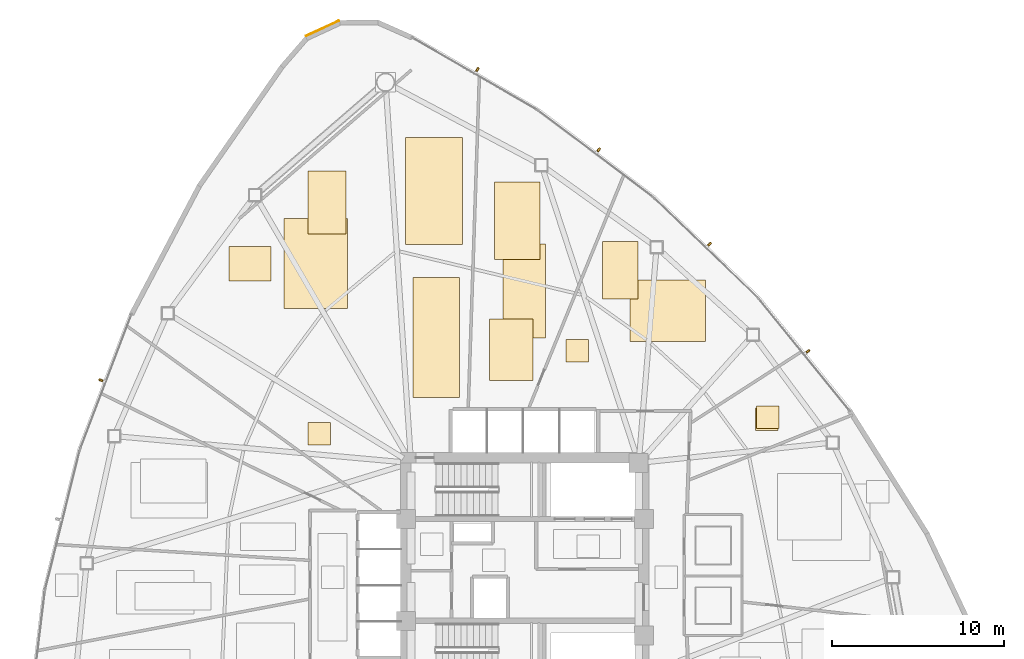
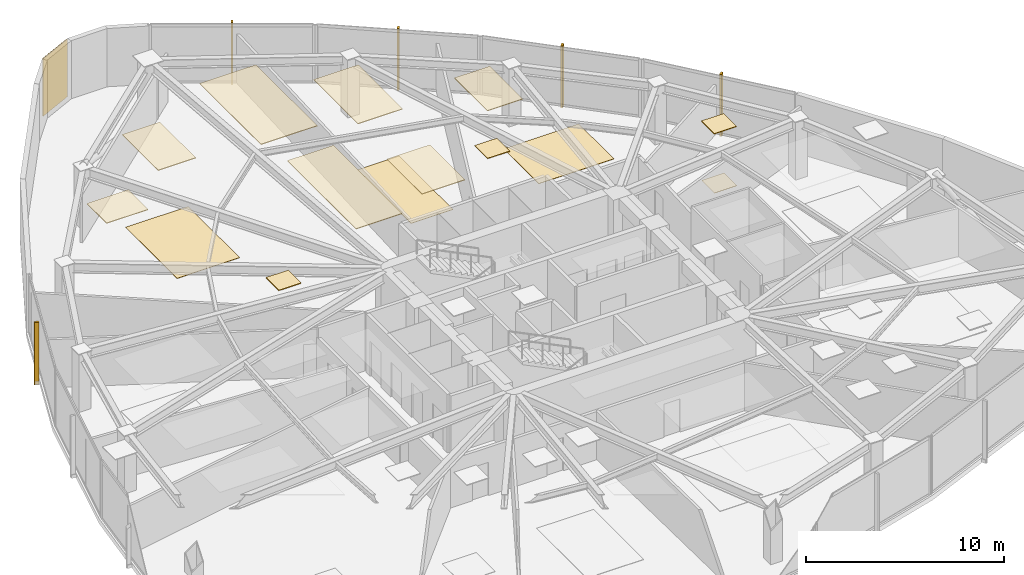
# One storey, part 17 of 17: 15 coverings, 5 shading devices.
"""IFC4 building model written with IfcOpenShell, lengths in metres."""

from ifc_helpers import new_model, si_unit, direction, frame, origin, origin_2d, place, context, subcontext, project, spatial, polyline, rectangle, outline, extrude, source, transform, mapped, material, layer, layer_set, type_object, type_shapes, element, save


model = new_model("IFC4")

# Units and contexts
model_context = context("Model", 3, precision=1e-05, world=origin(), true_north=direction((0.0, 1.0)))
body_context = subcontext(model_context, "Body", "Model", "MODEL_VIEW")
ifc_project = project(units=[si_unit("LENGTHUNIT", "METRE"), si_unit("AREAUNIT", "SQUARE_METRE"), si_unit("VOLUMEUNIT", "CUBIC_METRE"), si_unit("PLANEANGLEUNIT", "RADIAN"), si_unit("MASSUNIT", "GRAM", prefix="KILO")], contexts=[model_context])

# Site, building, storey
site_placement = place(None, origin())
site = spatial("IfcSite", under=ifc_project, at=site_placement, CompositionType="ELEMENT")
building_placement = place(site_placement, origin())
building = spatial("IfcBuilding", under=site, at=building_placement, Name="Tavelor Broadcast Tower", CompositionType="ELEMENT")
storey_placement = place(building_placement, frame((0.0, 0.0, 78.300048828125)))
storey = spatial("IfcBuildingStorey", under=building, at=storey_placement, Name="L18", CompositionType="ELEMENT", Elevation=78.300048828125)

# Coverings
ifc_material_1 = material(Name="Copper-Bronze Anodized Aluminium", Category="aluminium")
ifc_layer_1 = layer(ifc_material_1, 0.050048828125)
ifc_layer_set_1 = layer_set([ifc_layer_1], Name="Copper-Bronze Anodized Aluminium")
covering_type_1 = type_object("IfcCoveringType", Name="Champagne-Bronze Corner Pier Metal Cladding 50 mm", PredefinedType="CLADDING", material=ifc_layer_set_1)
covering_1_placement = place(storey_placement, frame((38.2724609375, 76.39697265625, 0.02001953125), z_axis=(0.0, 0.0, 1.0), x_axis=(-0.908143173825, -0.418659737537, 0.0)))
element("IfcCovering", 1, at=covering_1_placement, inside=storey, type_object=covering_type_1, Name="L18 Champagne-Bronze Corner Cladding 03", PredefinedType="CLADDING", context=body_context, shape_type="SweptSolid", body=[
    extrude(rectangle(XDim=2.115234375, YDim=0.050048828125, at=origin_2d()), origin(), (0.0, 0.0, 1.0), 3.56005859375),
])
ifc_material_2 = material(Name="Acoustic Nylon Carpet Tile")
ifc_layer_2 = layer(ifc_material_2, 0.02001953125)
ifc_layer_set_2 = layer_set([ifc_layer_2], Name="Acoustic Nylon Carpet Tile")
covering_type_2 = type_object("IfcCoveringType", Name="Heavy-Duty Acoustic Broadcast Carpet Tile 20 mm", PredefinedType="FLOORING", material=ifc_layer_set_2)
covering_2_placement = place(storey_placement, origin())
element("IfcCovering", 2, at=covering_2_placement, inside=storey, type_object=covering_type_2, Name="L18 Broadcast Floor Finish 0265", PredefinedType="FLOORING", context=body_context, shape_type="SweptSolid", body=[
    extrude(outline(polyline([(36.046142578125, 60.165771484375), (39.707275390625, 60.165771484375), (39.707275390625, 65.37353515625), (36.046142578125, 65.37353515625), (36.046142578125, 60.165771484375)])), origin(), (0.0, 0.0, 1.0), 0.02001953125),
])
covering_3_placement = place(storey_placement, origin())
element("IfcCovering", 3, at=covering_3_placement, inside=storey, type_object=covering_type_2, Name="L18 Broadcast Floor Finish 0266", PredefinedType="FLOORING", context=body_context, shape_type="SweptSolid", body=[
    extrude(outline(polyline([(48.7333984375, 58.44189453125), (51.1826171875, 58.44189453125), (51.1826171875, 63.902099609375), (48.7333984375, 63.902099609375), (48.7333984375, 58.44189453125)])), origin(), (0.0, 0.0, 1.0), 0.02001953125),
])
covering_4_placement = place(storey_placement, origin())
element("IfcCovering", 4, at=covering_4_placement, inside=storey, type_object=covering_type_2, Name="L18 Broadcast Floor Finish 0267", PredefinedType="FLOORING", context=body_context, shape_type="SweptSolid", body=[
    extrude(outline(polyline([(56.080810546875, 58.2431640625), (60.470703125, 58.2431640625), (60.470703125, 61.801025390625), (56.080810546875, 61.801025390625), (56.080810546875, 58.2431640625)])), origin(), (0.0, 0.0, 1.0), 0.02001953125),
])
covering_5_placement = place(storey_placement, origin())
element("IfcCovering", 5, at=covering_5_placement, inside=storey, type_object=covering_type_2, Name="L18 Broadcast Floor Finish 0268", PredefinedType="FLOORING", context=body_context, shape_type="SweptSolid", body=[
    extrude(outline(polyline([(63.36865234375, 53.080810546875), (64.668701171875, 53.080810546875), (64.668701171875, 54.380615234375), (63.36865234375, 54.380615234375), (63.36865234375, 53.080810546875)])), origin(), (0.0, 0.0, 1.0), 0.02001953125),
])
ifc_material_3 = material(Name="Acoustic Mineral Fibre Tile")
ifc_layer_3 = layer(ifc_material_3, 0.0400390625)
ifc_layer_set_3 = layer_set([ifc_layer_3], Name="Acoustic Mineral Fibre Tile")
covering_type_3 = type_object("IfcCoveringType", Name="Suspended Acoustic Mineral-Fibre Office Ceiling 40 mm", PredefinedType="CEILING", material=ifc_layer_set_3)
covering_6_placement = place(storey_placement, frame((0.0, 0.0, 3.56005859375)))
element("IfcCovering", 6, at=covering_6_placement, inside=storey, type_object=covering_type_3, Name="L18 Suspended Acoustic Ceiling 0763", PredefinedType="CEILING", context=body_context, shape_type="SweptSolid", body=[
    extrude(outline(polyline([(32.840576171875, 61.742431640625), (35.267333984375, 61.742431640625), (35.267333984375, 63.742919921875), (32.840576171875, 63.742919921875), (32.840576171875, 61.742431640625)])), origin(), (0.0, 0.0, 1.0), 0.039794921875),
])
covering_7_placement = place(storey_placement, frame((0.0, 0.0, 3.56005859375)))
element("IfcCovering", 7, at=covering_7_placement, inside=storey, type_object=covering_type_3, Name="L18 Suspended Acoustic Ceiling 0764", PredefinedType="CEILING", context=body_context, shape_type="SweptSolid", body=[
    extrude(outline(polyline([(37.434326171875, 64.480224609375), (39.633056640625, 64.480224609375), (39.633056640625, 68.120361328125), (37.434326171875, 68.120361328125), (37.434326171875, 64.480224609375)])), origin(), (0.0, 0.0, 1.0), 0.039794921875),
])
covering_8_placement = place(storey_placement, frame((0.0, 0.0, 3.56005859375)))
element("IfcCovering", 8, at=covering_8_placement, inside=storey, type_object=covering_type_3, Name="L18 Suspended Acoustic Ceiling 0765", PredefinedType="CEILING", context=body_context, shape_type="SweptSolid", body=[
    extrude(outline(polyline([(43.08251953125, 63.861083984375), (46.374267578125, 63.861083984375), (46.374267578125, 70.068115234375), (43.08251953125, 70.068115234375), (43.08251953125, 63.861083984375)])), origin(), (0.0, 0.0, 1.0), 0.039794921875),
])
covering_9_placement = place(storey_placement, frame((0.0, 0.0, 3.56005859375)))
element("IfcCovering", 9, at=covering_9_placement, inside=storey, type_object=covering_type_3, Name="L18 Suspended Acoustic Ceiling 0766", PredefinedType="CEILING", context=body_context, shape_type="SweptSolid", body=[
    extrude(outline(polyline([(43.5185546875, 55.001220703125), (46.220947265625, 55.001220703125), (46.220947265625, 61.94921875), (43.5185546875, 61.94921875), (43.5185546875, 55.001220703125)])), origin(), (0.0, 0.0, 1.0), 0.039794921875),
])
covering_10_placement = place(storey_placement, frame((0.0, 0.0, 3.56005859375)))
element("IfcCovering", 10, at=covering_10_placement, inside=storey, type_object=covering_type_3, Name="L18 Suspended Acoustic Ceiling 0767", PredefinedType="CEILING", context=body_context, shape_type="SweptSolid", body=[
    extrude(outline(polyline([(37.42578125, 52.251708984375), (38.725830078125, 52.251708984375), (38.725830078125, 53.5517578125), (37.42578125, 53.5517578125), (37.42578125, 52.251708984375)])), origin(), (0.0, 0.0, 1.0), 0.039794921875),
])
covering_11_placement = place(storey_placement, frame((0.0, 0.0, 3.56005859375)))
element("IfcCovering", 11, at=covering_11_placement, inside=storey, type_object=covering_type_3, Name="L18 Suspended Acoustic Ceiling 0768", PredefinedType="CEILING", context=body_context, shape_type="SweptSolid", body=[
    extrude(outline(polyline([(47.94970703125, 55.990478515625), (50.470458984375, 55.990478515625), (50.470458984375, 59.550537109375), (47.94970703125, 59.550537109375), (47.94970703125, 55.990478515625)])), origin(), (0.0, 0.0, 1.0), 0.039794921875),
])
covering_12_placement = place(storey_placement, frame((0.0, 0.0, 3.56005859375)))
element("IfcCovering", 12, at=covering_12_placement, inside=storey, type_object=covering_type_3, Name="L18 Suspended Acoustic Ceiling 0769", PredefinedType="CEILING", context=body_context, shape_type="SweptSolid", body=[
    extrude(outline(polyline([(48.25244140625, 62.984619140625), (50.86328125, 62.984619140625), (50.86328125, 67.474365234375), (48.25244140625, 67.474365234375), (48.25244140625, 62.984619140625)])), origin(), (0.0, 0.0, 1.0), 0.039794921875),
])
covering_13_placement = place(storey_placement, frame((0.0, 0.0, 3.56005859375)))
element("IfcCovering", 13, at=covering_13_placement, inside=storey, type_object=covering_type_3, Name="L18 Suspended Acoustic Ceiling 0770", PredefinedType="CEILING", context=body_context, shape_type="SweptSolid", body=[
    extrude(outline(polyline([(52.39697265625, 57.052001953125), (53.697021484375, 57.052001953125), (53.697021484375, 58.351806640625), (52.39697265625, 58.351806640625), (52.39697265625, 57.052001953125)])), origin(), (0.0, 0.0, 1.0), 0.039794921875),
])
covering_14_placement = place(storey_placement, frame((0.0, 0.0, 3.56005859375)))
element("IfcCovering", 14, at=covering_14_placement, inside=storey, type_object=covering_type_3, Name="L18 Suspended Acoustic Ceiling 0771", PredefinedType="CEILING", context=body_context, shape_type="SweptSolid", body=[
    extrude(outline(polyline([(54.49267578125, 60.7021484375), (56.564453125, 60.7021484375), (56.564453125, 64.041015625), (54.49267578125, 64.041015625), (54.49267578125, 60.7021484375)])), origin(), (0.0, 0.0, 1.0), 0.039794921875),
])
covering_15_placement = place(storey_placement, frame((0.0, 0.0, 3.56005859375)))
element("IfcCovering", 15, at=covering_15_placement, inside=storey, type_object=covering_type_3, Name="L18 Suspended Acoustic Ceiling 0772", PredefinedType="CEILING", context=body_context, shape_type="SweptSolid", body=[
    extrude(outline(polyline([(63.423095703125, 53.202392578125), (64.722900390625, 53.202392578125), (64.722900390625, 54.50244140625), (63.423095703125, 54.50244140625), (63.423095703125, 53.202392578125)])), origin(), (0.0, 0.0, 1.0), 0.039794921875),
])

# Shading devices
ifc_material_4 = material(Name="Kiln-Fired Glazed Terracotta", Category="masonry")
shading_device_type = type_object("IfcShadingDeviceType", Name="Extruded Terracotta Baguette Sun-Screen 110x240", PredefinedType="JALOUSIE", material=ifc_material_4)
shared_shape = source(origin(), body_context, "Body", "SweptSolid", [
    extrude(rectangle(XDim=0.110107421875, YDim=0.239990234375, at=origin_2d()), origin(), (0.0, 0.0, 1.0), 3.840087890625),
])
type_shapes(shading_device_type, [shared_shape])
for number, where, z_axis, x_axis, name in (
    (16, (25.41796875, 55.99560546875, -0.26025390625), (0.0, 0.0, 1.0), (-0.356411878713, -0.934328942457, 0.0), "L18 Terracotta Baguette Fin 169"),
    (17, (66.413330078125, 57.67333984375, -0.26025390625), (0.0, 0.0, 1.0), (-0.63108205791, 0.775716079622, 0.0), "L18 Terracotta Baguette Fin 177"),
    (18, (60.70361328125, 63.8828125, -0.26025390625), (0.0, 0.0, 1.0), (-0.720187948577, 0.693779012888, 0.0), "L18 Terracotta Baguette Fin 178"),
    (19, (54.2841796875, 69.355712890625, -0.26025390625), (0.0, 0.0, 1.0), (-0.798950510167, 0.6013967761, 0.0), "L18 Terracotta Baguette Fin 179"),
    (20, (47.249755859375, 74.011474609375, -0.26025390625), (0.0, 0.0, 1.0), (-0.865850818101, 0.500302269426, 0.0), "L18 Terracotta Baguette Fin 180"),
):
    element("IfcShadingDevice", number, at=place(storey_placement, frame(where, z_axis=z_axis, x_axis=x_axis)), inside=storey, type_object=shading_device_type, Name=name, PredefinedType="JALOUSIE", context=body_context, shape_type="MappedRepresentation", body=[
        mapped(shared_shape, transform((0.0, 0.0, 0.0), scale=1.0)),
    ])

save(model, "model.ifc")
